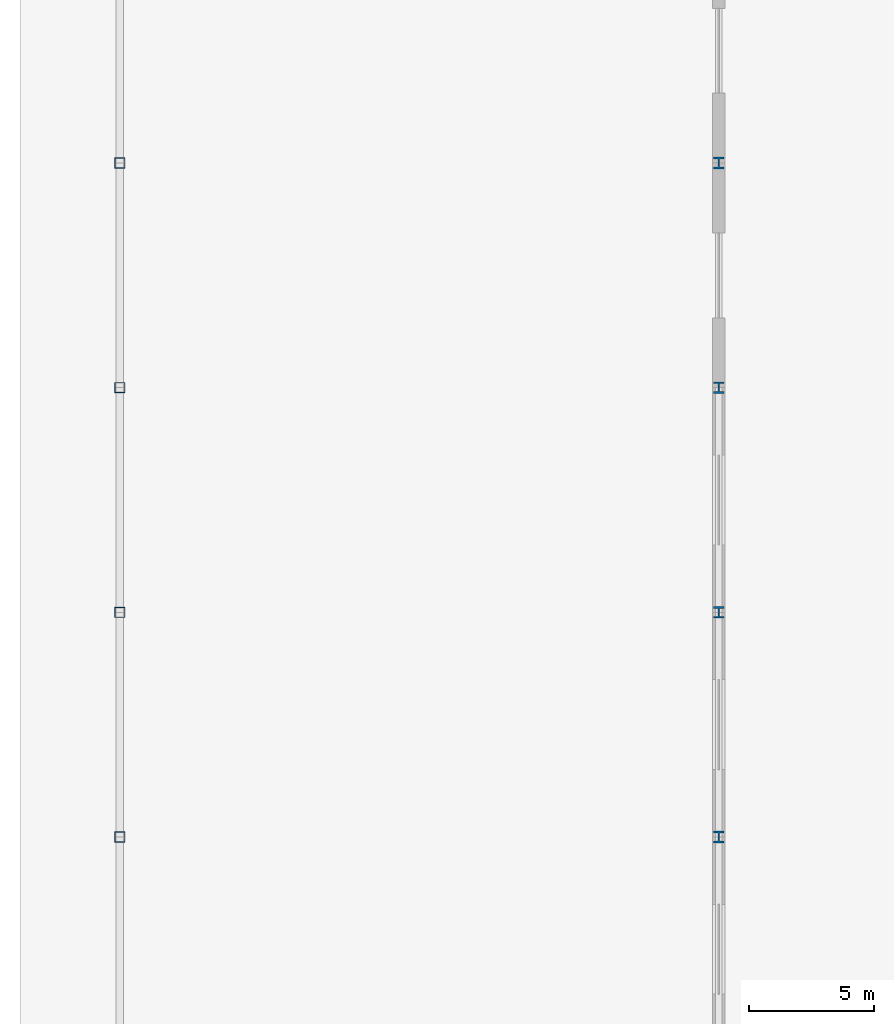
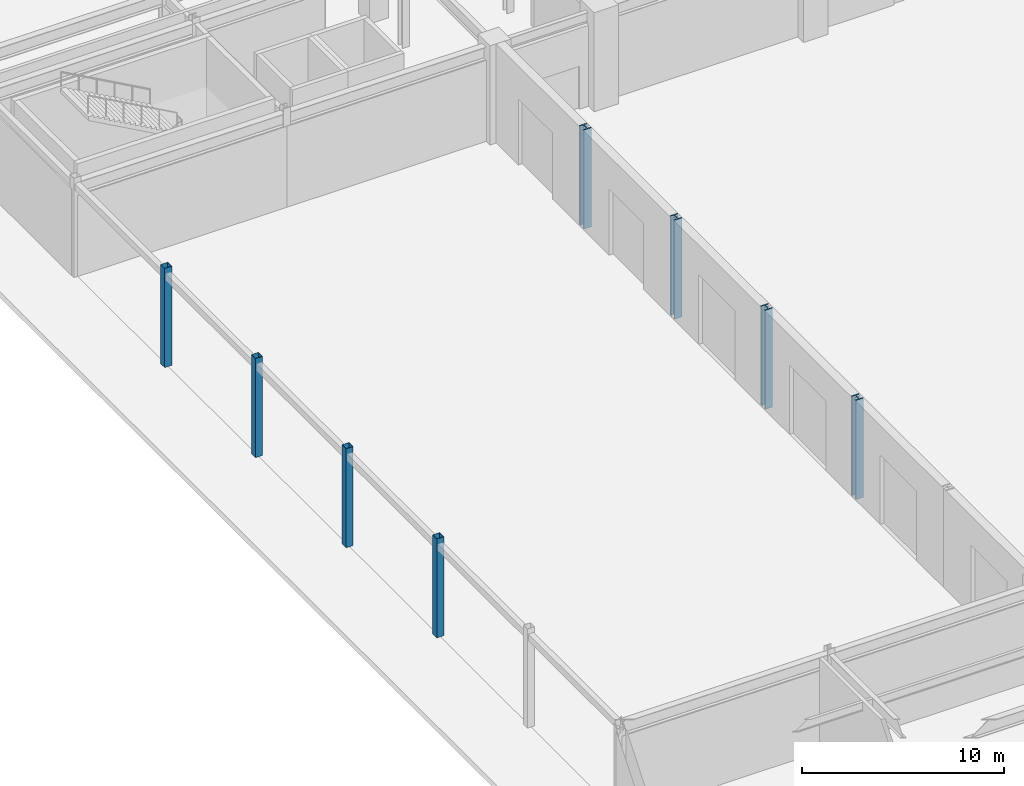
# One storey, part 3 of 44: 8 columns.
"""IFC4 building model written with IfcOpenShell, lengths in metres."""

from ifc_helpers import new_model, si_unit, direction, frame, origin, origin_2d, place, context, subcontext, project, spatial, hollow_rectangle, i_section, extrude, material, material_profile, profile_set, type_object, element, save


model = new_model("IFC4")

# Units and contexts
model_context = context("Model", 3, precision=1e-05, world=origin(), true_north=direction((0.0, 1.0)))
body_context = subcontext(model_context, "Body", "Model", "MODEL_VIEW")
ifc_project = project(units=[si_unit("LENGTHUNIT", "METRE"), si_unit("AREAUNIT", "SQUARE_METRE"), si_unit("VOLUMEUNIT", "CUBIC_METRE"), si_unit("PLANEANGLEUNIT", "RADIAN"), si_unit("MASSUNIT", "GRAM", prefix="KILO")], contexts=[model_context])

# Site, building, storey
site_placement = place(None, origin())
site = spatial("IfcSite", under=ifc_project, at=site_placement, CompositionType="ELEMENT")
building_placement = place(site_placement, origin())
building = spatial("IfcBuilding", under=site, at=building_placement, Name="Kaldorvane Square Convention Centre", CompositionType="ELEMENT")
storey_placement = place(building_placement, origin())
storey = spatial("IfcBuildingStorey", under=building, at=storey_placement, Name="L00", CompositionType="ELEMENT", Elevation=0.0)

# Columns
ifc_material_1 = material(Name="Steel ASTM A500 Gr. C", Category="steel")
ifc_material_profile_1 = material_profile(ifc_material_1, hollow_rectangle(XDim=0.406402587890625, YDim=0.406402587890625, WallThickness=0.014801025390625, at=origin_2d()), Name="HSS16X16X5/8")
ifc_profile_set_1 = profile_set([ifc_material_profile_1], Name="Steel ASTM A500 Gr. C")
column_type_1 = type_object("IfcColumnType", Name="COL-HSS-16", PredefinedType="COLUMN", material=ifc_profile_set_1)
for number, where, z_axis, x_axis, name in (
    (1, (0.0, 36.0, 0.0), (0.0, 0.0, 1.0), (1.0, 0.0, 0.0), "Column SC-14 (L00)"),
    (2, (0.0, 45.0, 0.0), (0.0, 0.0, 1.0), (1.0, 0.0, 0.0), "Column SC-14 (L00)"),
    (3, (0.0, 54.0, 0.0), (0.0, 0.0, 1.0), (1.0, 0.0, 0.0), "Column SC-14 (L00)"),
    (4, (0.0, 63.0, 0.0), (0.0, 0.0, 1.0), (1.0, 0.0, 0.0), "Column SC-14 (L00)"),
):
    element("IfcColumn", number, at=place(storey_placement, frame(where, z_axis=z_axis, x_axis=x_axis)), inside=storey, type_object=column_type_1, Name=name, PredefinedType="COLUMN", context=body_context, shape_type="SweptSolid", body=[
        extrude(hollow_rectangle(XDim=0.406402587890625, YDim=0.406402587890625, WallThickness=0.014801025390625, at=origin_2d()), origin(), (0.0, 0.0, 1.0), 6.0),
    ])
ifc_material_2 = material(Name="Steel ASTM A992 Gr. 50", Category="steel")
ifc_material_profile_2 = material_profile(ifc_material_2, i_section(OverallWidth=0.424102783203125, OverallDepth=0.4741973876953125, WebThickness=0.047607421875, FlangeThickness=0.0771026611328125, FilletRadius=0.0305023193359375, at=origin_2d()), Name="W14X426")
ifc_profile_set_2 = profile_set([ifc_material_profile_2], Name="Steel ASTM A992 Gr. 50")
column_type_2 = type_object("IfcColumnType", Name="COL-STL-426", PredefinedType="COLUMN", material=ifc_profile_set_2)
for number, where, z_axis, x_axis, name in (
    (5, (24.0, 36.0, 0.0), (0.0, 0.0, 1.0), (1.0, 0.0, 0.0), "Column SC-04 (L00)"),
    (6, (24.0, 45.0, 0.0), (0.0, 0.0, 1.0), (1.0, 0.0, 0.0), "Column SC-04 (L00)"),
    (7, (24.0, 54.0, 0.0), (0.0, 0.0, 1.0), (1.0, 0.0, 0.0), "Column SC-04 (L00)"),
    (8, (24.0, 63.0, 0.0), (0.0, 0.0, 1.0), (1.0, 0.0, 0.0), "Column SC-04 (L00)"),
):
    element("IfcColumn", number, at=place(storey_placement, frame(where, z_axis=z_axis, x_axis=x_axis)), inside=storey, type_object=column_type_2, Name=name, PredefinedType="COLUMN", context=body_context, shape_type="SweptSolid", body=[
        extrude(i_section(OverallWidth=0.424102783203125, OverallDepth=0.4741973876953125, WebThickness=0.047607421875, FlangeThickness=0.0771026611328125, FilletRadius=0.0305023193359375, at=origin_2d()), origin(), (0.0, 0.0, 1.0), 6.0),
    ])

save(model, "model.ifc")
